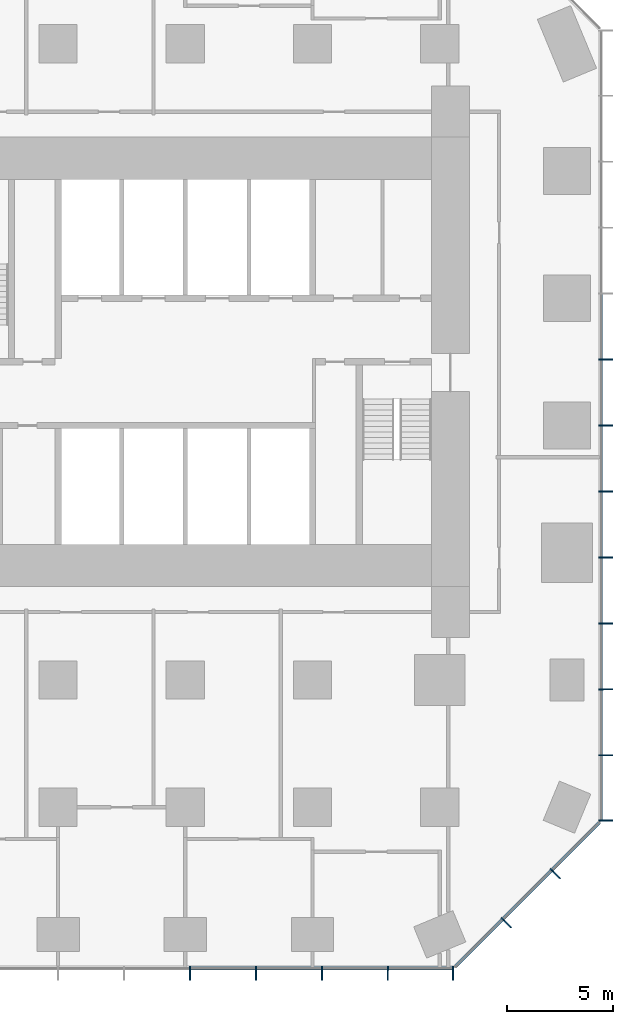
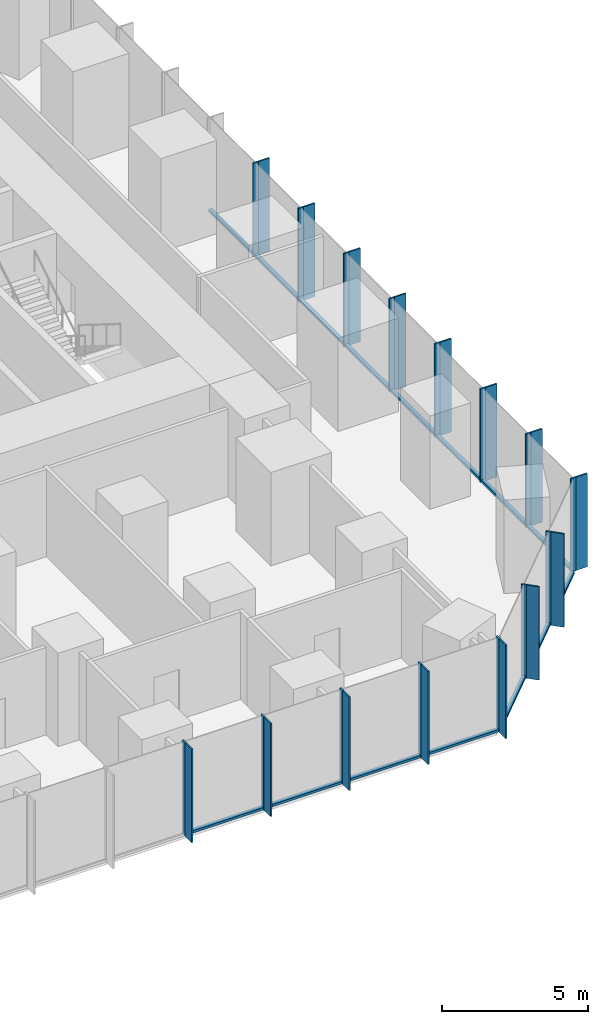
# One storey, part 4 of 12: 45 members, 3 elements without a shape of their own.
"""IFC4 building model written with IfcOpenShell, lengths in metres."""

from ifc_helpers import new_model, si_unit, direction, frame, origin, origin_2d, place, context, subcontext, project, spatial, rectangle, extrude, material, layer, layer_set, material_profile, profile_set, type_object, element, aggregate, save


model = new_model("IFC4")

# Units and contexts
model_context = context("Model", 3, precision=1e-05, world=origin(), true_north=direction((0.0, 1.0)))
body_context = subcontext(model_context, "Body", "Model", "MODEL_VIEW")
ifc_project = project(units=[si_unit("LENGTHUNIT", "METRE"), si_unit("AREAUNIT", "SQUARE_METRE"), si_unit("VOLUMEUNIT", "CUBIC_METRE"), si_unit("PLANEANGLEUNIT", "RADIAN"), si_unit("MASSUNIT", "GRAM", prefix="KILO")], contexts=[model_context])

# Site, building, storey
site_placement = place(None, origin())
site = spatial("IfcSite", under=ifc_project, at=site_placement, CompositionType="ELEMENT")
building_placement = place(site_placement, origin())
building = spatial("IfcBuilding", under=site, at=building_placement, Name="Highveld Stack Headquarters", CompositionType="ELEMENT")
storey_placement = place(building_placement, frame((0.0, 0.0, 26.0)))
storey = spatial("IfcBuildingStorey", under=building, at=storey_placement, Name="L05", CompositionType="ELEMENT", Elevation=26.0)

# Curtain wall, members
ifc_material_1 = material(Name="Aluminium bronze anodised", Category="aluminium")
ifc_layer_1 = layer(ifc_material_1, 0.199951171875)
ifc_layer_set_1 = layer_set([ifc_layer_1], Name="Aluminium bronze anodised")
curtain_wall_type_1 = type_object("IfcCurtainWallType", Name="CW1 TOWER UNITISED CURTAIN WALL", PredefinedType="NOTDEFINED", material=ifc_layer_set_1)
curtain_wall_1_placement = place(storey_placement, origin())
curtain_wall_1 = element("IfcCurtainWall", 1, at=curtain_wall_1_placement, inside=storey, type_object=curtain_wall_type_1, Name="Curtain wall CW1 L05 S", PredefinedType="NOTDEFINED")
ifc_material_2 = material(Name="Aluminium bronze anodised", Category="aluminium")
ifc_material_profile_1 = material_profile(ifc_material_2, rectangle(XDim=0.449951171875, YDim=0.06005859375, at=origin_2d()), Name="FIN 450x60")
ifc_profile_set_1 = profile_set([ifc_material_profile_1], Name="Aluminium bronze anodised")
member_type_1 = type_object("IfcMemberType", Name="CW1 BRONZE FIN 450x60", PredefinedType="USERDEFINED", material=ifc_profile_set_1)
member_1_placement = place(storey_placement, frame((6.220947265625, -25.925048828125, 0.0), z_axis=(0.0, 0.0, 1.0), x_axis=(0.0, 1.0, 0.0)))
member_1 = element("IfcMember", 2, at=member_1_placement, type_object=member_type_1, Name="CW1 fin L05 9", ObjectType="FIN", PredefinedType="USERDEFINED", context=body_context, shape_type="SweptSolid", body=[
    extrude(rectangle(XDim=0.449951171875, YDim=0.06005859375, at=origin_2d()), origin(), (0.0, 0.0, 1.0), 3.89990234375),
])
member_2_placement = place(storey_placement, frame((9.331298828125, -25.925048828125, 0.0), z_axis=(0.0, 0.0, 1.0), x_axis=(0.0, 1.0, 0.0)))
member_2 = element("IfcMember", 3, at=member_2_placement, type_object=member_type_1, Name="CW1 fin L05 10", ObjectType="FIN", PredefinedType="USERDEFINED", context=body_context, shape_type="SweptSolid", body=[
    extrude(rectangle(XDim=0.449951171875, YDim=0.06005859375, at=origin_2d()), origin(), (0.0, 0.0, 1.0), 3.89990234375),
])
member_3_placement = place(storey_placement, frame((12.44189453125, -25.925048828125, 0.0), z_axis=(0.0, 0.0, 1.0), x_axis=(0.0, 1.0, 0.0)))
member_3 = element("IfcMember", 4, at=member_3_placement, type_object=member_type_1, Name="CW1 fin L05 11", ObjectType="FIN", PredefinedType="USERDEFINED", context=body_context, shape_type="SweptSolid", body=[
    extrude(rectangle(XDim=0.449951171875, YDim=0.06005859375, at=origin_2d()), origin(), (0.0, 0.0, 1.0), 3.89990234375),
])
member_4_placement = place(storey_placement, frame((15.55224609375, -25.925048828125, 0.0), z_axis=(0.0, 0.0, 1.0), x_axis=(0.0, 1.0, 0.0)))
member_4 = element("IfcMember", 5, at=member_4_placement, type_object=member_type_1, Name="CW1 fin L05 12", ObjectType="FIN", PredefinedType="USERDEFINED", context=body_context, shape_type="SweptSolid", body=[
    extrude(rectangle(XDim=0.449951171875, YDim=0.06005859375, at=origin_2d()), origin(), (0.0, 0.0, 1.0), 3.89990234375),
])
member_5_placement = place(storey_placement, frame((18.630126953125, -25.925048828125, 0.0), z_axis=(0.0, 0.0, 1.0), x_axis=(0.0, 1.0, 0.0)))
member_5 = element("IfcMember", 6, at=member_5_placement, type_object=member_type_1, Name="CW1 fin L05 13", ObjectType="FIN", PredefinedType="USERDEFINED", context=body_context, shape_type="SweptSolid", body=[
    extrude(rectangle(XDim=0.449951171875, YDim=0.06005859375, at=origin_2d()), origin(), (0.0, 0.0, 1.0), 3.89990234375),
])

curtain_wall_2_placement = place(storey_placement, origin())
curtain_wall_2 = element("IfcCurtainWall", 7, at=curtain_wall_2_placement, inside=storey, type_object=curtain_wall_type_1, Name="Curtain wall CW1 L05 E", PredefinedType="NOTDEFINED")
member_6_placement = place(storey_placement, frame((25.925048828125, -18.630126953125, 0.0), z_axis=(0.0, 0.0, 1.0), x_axis=(-1.0, 0.0, 0.0)))
member_6 = element("IfcMember", 8, at=member_6_placement, type_object=member_type_1, Name="CW1 fin L05 1", ObjectType="FIN", PredefinedType="USERDEFINED", context=body_context, shape_type="SweptSolid", body=[
    extrude(rectangle(XDim=0.449951171875, YDim=0.06005859375, at=origin_2d()), origin(), (0.0, 0.0, 1.0), 3.89990234375),
])
member_7_placement = place(storey_placement, frame((25.925048828125, -15.55224609375, 0.0), z_axis=(0.0, 0.0, 1.0), x_axis=(-1.0, 0.0, 0.0)))
member_7 = element("IfcMember", 9, at=member_7_placement, type_object=member_type_1, Name="CW1 fin L05 2", ObjectType="FIN", PredefinedType="USERDEFINED", context=body_context, shape_type="SweptSolid", body=[
    extrude(rectangle(XDim=0.449951171875, YDim=0.06005859375, at=origin_2d()), origin(), (0.0, 0.0, 1.0), 3.89990234375),
])
member_8_placement = place(storey_placement, frame((25.925048828125, -12.44189453125, 0.0), z_axis=(0.0, 0.0, 1.0), x_axis=(-1.0, 0.0, 0.0)))
member_8 = element("IfcMember", 10, at=member_8_placement, type_object=member_type_1, Name="CW1 fin L05 3", ObjectType="FIN", PredefinedType="USERDEFINED", context=body_context, shape_type="SweptSolid", body=[
    extrude(rectangle(XDim=0.449951171875, YDim=0.06005859375, at=origin_2d()), origin(), (0.0, 0.0, 1.0), 3.89990234375),
])
member_9_placement = place(storey_placement, frame((25.925048828125, -9.331298828125, 0.0), z_axis=(0.0, 0.0, 1.0), x_axis=(-1.0, 0.0, 0.0)))
member_9 = element("IfcMember", 11, at=member_9_placement, type_object=member_type_1, Name="CW1 fin L05 4", ObjectType="FIN", PredefinedType="USERDEFINED", context=body_context, shape_type="SweptSolid", body=[
    extrude(rectangle(XDim=0.449951171875, YDim=0.06005859375, at=origin_2d()), origin(), (0.0, 0.0, 1.0), 3.89990234375),
])
member_10_placement = place(storey_placement, frame((25.925048828125, -6.220947265625, 0.0), z_axis=(0.0, 0.0, 1.0), x_axis=(-1.0, 0.0, 0.0)))
member_10 = element("IfcMember", 12, at=member_10_placement, type_object=member_type_1, Name="CW1 fin L05 5", ObjectType="FIN", PredefinedType="USERDEFINED", context=body_context, shape_type="SweptSolid", body=[
    extrude(rectangle(XDim=0.449951171875, YDim=0.06005859375, at=origin_2d()), origin(), (0.0, 0.0, 1.0), 3.89990234375),
])
member_11_placement = place(storey_placement, frame((25.925048828125, -3.110595703125, 0.0), z_axis=(0.0, 0.0, 1.0), x_axis=(-1.0, 0.0, 0.0)))
member_11 = element("IfcMember", 13, at=member_11_placement, type_object=member_type_1, Name="CW1 fin L05 6", ObjectType="FIN", PredefinedType="USERDEFINED", context=body_context, shape_type="SweptSolid", body=[
    extrude(rectangle(XDim=0.449951171875, YDim=0.06005859375, at=origin_2d()), origin(), (0.0, 0.0, 1.0), 3.89990234375),
])
member_12_placement = place(storey_placement, frame((25.925048828125, 0.0, 0.0), z_axis=(0.0, 0.0, 1.0), x_axis=(-1.0, 0.0, 0.0)))
member_12 = element("IfcMember", 14, at=member_12_placement, type_object=member_type_1, Name="CW1 fin L05 7", ObjectType="FIN", PredefinedType="USERDEFINED", context=body_context, shape_type="SweptSolid", body=[
    extrude(rectangle(XDim=0.449951171875, YDim=0.06005859375, at=origin_2d()), origin(), (0.0, 0.0, 1.0), 3.89990234375),
])
member_13_placement = place(storey_placement, frame((25.925048828125, 3.110595703125, 0.0), z_axis=(0.0, 0.0, 1.0), x_axis=(-1.0, 0.0, 0.0)))
member_13 = element("IfcMember", 15, at=member_13_placement, type_object=member_type_1, Name="CW1 fin L05 8", ObjectType="FIN", PredefinedType="USERDEFINED", context=body_context, shape_type="SweptSolid", body=[
    extrude(rectangle(XDim=0.449951171875, YDim=0.06005859375, at=origin_2d()), origin(), (0.0, 0.0, 1.0), 3.89990234375),
])

# Member
ifc_material_3 = material(Name="Aluminium bronze anodised", Category="aluminium")
ifc_material_profile_2 = material_profile(ifc_material_3, rectangle(XDim=0.199951171875, YDim=0.06494140625, at=origin_2d()), Name="CW1 MULLION 65x200")
ifc_profile_set_2 = profile_set([ifc_material_profile_2], Name="Aluminium bronze anodised")
member_type_2 = type_object("IfcMemberType", Name="CW1 MULLION 65x200", PredefinedType="MULLION", material=ifc_profile_set_2)
member_14_placement = place(storey_placement, frame((6.220947265625, -25.60009765625, 0.0), z_axis=(0.0, 0.0, 1.0), x_axis=(0.0, 1.0, 0.0)))
member_14 = element("IfcMember", 16, at=member_14_placement, type_object=member_type_2, Name="CW1 mullion L05 9", PredefinedType="MULLION", context=body_context, shape_type="SweptSolid", body=[
    extrude(rectangle(XDim=0.199951171875, YDim=0.06494140625, at=origin_2d()), origin(), (0.0, 0.0, 1.0), 3.89990234375),
])

member_15_placement = place(storey_placement, frame((9.331298828125, -25.60009765625, 0.0), z_axis=(0.0, 0.0, 1.0), x_axis=(0.0, 1.0, 0.0)))
member_15 = element("IfcMember", 17, at=member_15_placement, type_object=member_type_2, Name="CW1 mullion L05 10", PredefinedType="MULLION", context=body_context, shape_type="SweptSolid", body=[
    extrude(rectangle(XDim=0.199951171875, YDim=0.06494140625, at=origin_2d()), origin(), (0.0, 0.0, 1.0), 3.89990234375),
])

member_16_placement = place(storey_placement, frame((12.44189453125, -25.60009765625, 0.0), z_axis=(0.0, 0.0, 1.0), x_axis=(0.0, 1.0, 0.0)))
member_16 = element("IfcMember", 18, at=member_16_placement, type_object=member_type_2, Name="CW1 mullion L05 11", PredefinedType="MULLION", context=body_context, shape_type="SweptSolid", body=[
    extrude(rectangle(XDim=0.199951171875, YDim=0.06494140625, at=origin_2d()), origin(), (0.0, 0.0, 1.0), 3.89990234375),
])

member_17_placement = place(storey_placement, frame((15.55224609375, -25.60009765625, 0.0), z_axis=(0.0, 0.0, 1.0), x_axis=(0.0, 1.0, 0.0)))
member_17 = element("IfcMember", 19, at=member_17_placement, type_object=member_type_2, Name="CW1 mullion L05 12", PredefinedType="MULLION", context=body_context, shape_type="SweptSolid", body=[
    extrude(rectangle(XDim=0.199951171875, YDim=0.06494140625, at=origin_2d()), origin(), (0.0, 0.0, 1.0), 3.89990234375),
])

member_18_placement = place(storey_placement, frame((18.630126953125, -25.60009765625, 0.0), z_axis=(0.0, 0.0, 1.0), x_axis=(0.0, 1.0, 0.0)))
member_18 = element("IfcMember", 20, at=member_18_placement, type_object=member_type_2, Name="CW1 mullion L05 13", PredefinedType="MULLION", context=body_context, shape_type="SweptSolid", body=[
    extrude(rectangle(XDim=0.199951171875, YDim=0.06494140625, at=origin_2d()), origin(), (0.0, 0.0, 1.0), 3.89990234375),
])

member_19_placement = place(storey_placement, frame((25.60009765625, -18.630126953125, 0.0), z_axis=(0.0, 0.0, 1.0), x_axis=(-1.0, 0.0, 0.0)))
member_19 = element("IfcMember", 21, at=member_19_placement, type_object=member_type_2, Name="CW1 mullion L05 1", PredefinedType="MULLION", context=body_context, shape_type="SweptSolid", body=[
    extrude(rectangle(XDim=0.199951171875, YDim=0.06494140625, at=origin_2d()), origin(), (0.0, 0.0, 1.0), 3.89990234375),
])

member_20_placement = place(storey_placement, frame((25.60009765625, -15.55224609375, 0.0), z_axis=(0.0, 0.0, 1.0), x_axis=(-1.0, 0.0, 0.0)))
member_20 = element("IfcMember", 22, at=member_20_placement, type_object=member_type_2, Name="CW1 mullion L05 2", PredefinedType="MULLION", context=body_context, shape_type="SweptSolid", body=[
    extrude(rectangle(XDim=0.199951171875, YDim=0.06494140625, at=origin_2d()), origin(), (0.0, 0.0, 1.0), 3.89990234375),
])

member_21_placement = place(storey_placement, frame((25.60009765625, -12.44189453125, 0.0), z_axis=(0.0, 0.0, 1.0), x_axis=(-1.0, 0.0, 0.0)))
member_21 = element("IfcMember", 23, at=member_21_placement, type_object=member_type_2, Name="CW1 mullion L05 3", PredefinedType="MULLION", context=body_context, shape_type="SweptSolid", body=[
    extrude(rectangle(XDim=0.199951171875, YDim=0.06494140625, at=origin_2d()), origin(), (0.0, 0.0, 1.0), 3.89990234375),
])

member_22_placement = place(storey_placement, frame((25.60009765625, -9.331298828125, 0.0), z_axis=(0.0, 0.0, 1.0), x_axis=(-1.0, 0.0, 0.0)))
member_22 = element("IfcMember", 24, at=member_22_placement, type_object=member_type_2, Name="CW1 mullion L05 4", PredefinedType="MULLION", context=body_context, shape_type="SweptSolid", body=[
    extrude(rectangle(XDim=0.199951171875, YDim=0.06494140625, at=origin_2d()), origin(), (0.0, 0.0, 1.0), 3.89990234375),
])

member_23_placement = place(storey_placement, frame((25.60009765625, -6.220947265625, 0.0), z_axis=(0.0, 0.0, 1.0), x_axis=(-1.0, 0.0, 0.0)))
member_23 = element("IfcMember", 25, at=member_23_placement, type_object=member_type_2, Name="CW1 mullion L05 5", PredefinedType="MULLION", context=body_context, shape_type="SweptSolid", body=[
    extrude(rectangle(XDim=0.199951171875, YDim=0.06494140625, at=origin_2d()), origin(), (0.0, 0.0, 1.0), 3.89990234375),
])

member_24_placement = place(storey_placement, frame((25.60009765625, -3.110595703125, 0.0), z_axis=(0.0, 0.0, 1.0), x_axis=(-1.0, 0.0, 0.0)))
member_24 = element("IfcMember", 26, at=member_24_placement, type_object=member_type_2, Name="CW1 mullion L05 6", PredefinedType="MULLION", context=body_context, shape_type="SweptSolid", body=[
    extrude(rectangle(XDim=0.199951171875, YDim=0.06494140625, at=origin_2d()), origin(), (0.0, 0.0, 1.0), 3.89990234375),
])

member_25_placement = place(storey_placement, frame((25.60009765625, 0.0, 0.0), z_axis=(0.0, 0.0, 1.0), x_axis=(-1.0, 0.0, 0.0)))
member_25 = element("IfcMember", 27, at=member_25_placement, type_object=member_type_2, Name="CW1 mullion L05 7", PredefinedType="MULLION", context=body_context, shape_type="SweptSolid", body=[
    extrude(rectangle(XDim=0.199951171875, YDim=0.06494140625, at=origin_2d()), origin(), (0.0, 0.0, 1.0), 3.89990234375),
])

member_26_placement = place(storey_placement, frame((25.60009765625, 3.110595703125, 0.0), z_axis=(0.0, 0.0, 1.0), x_axis=(-1.0, 0.0, 0.0)))
member_26 = element("IfcMember", 28, at=member_26_placement, type_object=member_type_2, Name="CW1 mullion L05 8", PredefinedType="MULLION", context=body_context, shape_type="SweptSolid", body=[
    extrude(rectangle(XDim=0.199951171875, YDim=0.06494140625, at=origin_2d()), origin(), (0.0, 0.0, 1.0), 3.89990234375),
])

ifc_material_4 = material(Name="Aluminium bronze anodised", Category="aluminium")
ifc_material_profile_3 = material_profile(ifc_material_4, rectangle(XDim=0.14990234375, YDim=0.10009765625, at=origin_2d()), Name="CW1 TRANSOM 150x100")
ifc_profile_set_3 = profile_set([ifc_material_profile_3], Name="Aluminium bronze anodised")
member_type_3 = type_object("IfcMemberType", Name="CW1 STACK TRANSOM 150x100", PredefinedType="USERDEFINED", material=ifc_profile_set_3)
member_27_placement = place(storey_placement, frame((6.25341796875, -25.60009765625, 0.050048828125), z_axis=(1.0, 0.0, 0.0), x_axis=(0.0, 1.0, 0.0)))
member_27 = element("IfcMember", 29, at=member_27_placement, type_object=member_type_3, Name="CW1 transom L05 9.1", ObjectType="TRANSOM", PredefinedType="USERDEFINED", context=body_context, shape_type="SweptSolid", body=[
    extrude(rectangle(XDim=0.14990234375, YDim=0.10009765625, at=origin_2d()), origin(), (0.0, 0.0, 1.0), 3.04541015625),
])

member_28_placement = place(storey_placement, frame((9.36376953125, -25.60009765625, 0.050048828125), z_axis=(1.0, 0.0, 0.0), x_axis=(0.0, 1.0, 0.0)))
member_28 = element("IfcMember", 30, at=member_28_placement, type_object=member_type_3, Name="CW1 transom L05 10.1", ObjectType="TRANSOM", PredefinedType="USERDEFINED", context=body_context, shape_type="SweptSolid", body=[
    extrude(rectangle(XDim=0.14990234375, YDim=0.10009765625, at=origin_2d()), origin(), (0.0, 0.0, 1.0), 3.04541015625),
])

member_29_placement = place(storey_placement, frame((12.474365234375, -25.60009765625, 0.050048828125), z_axis=(1.0, 0.0, 0.0), x_axis=(0.0, 1.0, 0.0)))
member_29 = element("IfcMember", 31, at=member_29_placement, type_object=member_type_3, Name="CW1 transom L05 11.1", ObjectType="TRANSOM", PredefinedType="USERDEFINED", context=body_context, shape_type="SweptSolid", body=[
    extrude(rectangle(XDim=0.14990234375, YDim=0.10009765625, at=origin_2d()), origin(), (0.0, 0.0, 1.0), 3.04541015625),
])

member_30_placement = place(storey_placement, frame((15.584716796875, -25.60009765625, 0.050048828125), z_axis=(1.0, 0.0, 0.0), x_axis=(0.0, 1.0, 0.0)))
member_30 = element("IfcMember", 32, at=member_30_placement, type_object=member_type_3, Name="CW1 transom L05 12.1", ObjectType="TRANSOM", PredefinedType="USERDEFINED", context=body_context, shape_type="SweptSolid", body=[
    extrude(rectangle(XDim=0.14990234375, YDim=0.10009765625, at=origin_2d()), origin(), (0.0, 0.0, 1.0), 3.012939453125),
])

aggregate(curtain_wall_1, [member_14, member_1, member_15, member_2, member_16, member_3, member_17, member_4, member_18, member_5, member_27, member_28, member_29, member_30])

member_31_placement = place(storey_placement, frame((25.60009765625, -18.59765625, 0.050048828125), z_axis=(0.0, 1.0, 0.0), x_axis=(-1.0, 0.0, 0.0)))
member_31 = element("IfcMember", 33, at=member_31_placement, type_object=member_type_3, Name="CW1 transom L05 1.1", ObjectType="TRANSOM", PredefinedType="USERDEFINED", context=body_context, shape_type="SweptSolid", body=[
    extrude(rectangle(XDim=0.14990234375, YDim=0.10009765625, at=origin_2d()), origin(), (0.0, 0.0, 1.0), 3.012939453125),
])

member_32_placement = place(storey_placement, frame((25.60009765625, -15.519775390625, 0.050048828125), z_axis=(0.0, 1.0, 0.0), x_axis=(-1.0, 0.0, 0.0)))
member_32 = element("IfcMember", 34, at=member_32_placement, type_object=member_type_3, Name="CW1 transom L05 2.1", ObjectType="TRANSOM", PredefinedType="USERDEFINED", context=body_context, shape_type="SweptSolid", body=[
    extrude(rectangle(XDim=0.14990234375, YDim=0.10009765625, at=origin_2d()), origin(), (0.0, 0.0, 1.0), 3.04541015625),
])

member_33_placement = place(storey_placement, frame((25.60009765625, -12.4091796875, 0.050048828125), z_axis=(0.0, 1.0, 0.0), x_axis=(-1.0, 0.0, 0.0)))
member_33 = element("IfcMember", 35, at=member_33_placement, type_object=member_type_3, Name="CW1 transom L05 3.1", ObjectType="TRANSOM", PredefinedType="USERDEFINED", context=body_context, shape_type="SweptSolid", body=[
    extrude(rectangle(XDim=0.14990234375, YDim=0.10009765625, at=origin_2d()), origin(), (0.0, 0.0, 1.0), 3.045166015625),
])

member_34_placement = place(storey_placement, frame((25.60009765625, -9.298828125, 0.050048828125), z_axis=(0.0, 1.0, 0.0), x_axis=(-1.0, 0.0, 0.0)))
member_34 = element("IfcMember", 36, at=member_34_placement, type_object=member_type_3, Name="CW1 transom L05 4.1", ObjectType="TRANSOM", PredefinedType="USERDEFINED", context=body_context, shape_type="SweptSolid", body=[
    extrude(rectangle(XDim=0.14990234375, YDim=0.10009765625, at=origin_2d()), origin(), (0.0, 0.0, 1.0), 3.04541015625),
])

member_35_placement = place(storey_placement, frame((25.60009765625, -6.1884765625, 0.050048828125), z_axis=(0.0, 1.0, 0.0), x_axis=(-1.0, 0.0, 0.0)))
member_35 = element("IfcMember", 37, at=member_35_placement, type_object=member_type_3, Name="CW1 transom L05 5.1", ObjectType="TRANSOM", PredefinedType="USERDEFINED", context=body_context, shape_type="SweptSolid", body=[
    extrude(rectangle(XDim=0.14990234375, YDim=0.10009765625, at=origin_2d()), origin(), (0.0, 0.0, 1.0), 3.04541015625),
])

member_36_placement = place(storey_placement, frame((25.60009765625, -3.077880859375, 0.050048828125), z_axis=(0.0, 1.0, 0.0), x_axis=(-1.0, 0.0, 0.0)))
member_36 = element("IfcMember", 38, at=member_36_placement, type_object=member_type_3, Name="CW1 transom L05 6.1", ObjectType="TRANSOM", PredefinedType="USERDEFINED", context=body_context, shape_type="SweptSolid", body=[
    extrude(rectangle(XDim=0.14990234375, YDim=0.10009765625, at=origin_2d()), origin(), (0.0, 0.0, 1.0), 3.04541015625),
])

member_37_placement = place(storey_placement, frame((25.60009765625, 0.032470703125, 0.050048828125), z_axis=(0.0, 1.0, 0.0), x_axis=(-1.0, 0.0, 0.0)))
member_37 = element("IfcMember", 39, at=member_37_placement, type_object=member_type_3, Name="CW1 transom L05 7.1", ObjectType="TRANSOM", PredefinedType="USERDEFINED", context=body_context, shape_type="SweptSolid", body=[
    extrude(rectangle(XDim=0.14990234375, YDim=0.10009765625, at=origin_2d()), origin(), (0.0, 0.0, 1.0), 3.04541015625),
])

member_38_placement = place(storey_placement, frame((25.60009765625, 3.142822265625, 0.050048828125), z_axis=(0.0, 1.0, 0.0), x_axis=(-1.0, 0.0, 0.0)))
member_38 = element("IfcMember", 40, at=member_38_placement, type_object=member_type_3, Name="CW1 transom L05 8.1", ObjectType="TRANSOM", PredefinedType="USERDEFINED", context=body_context, shape_type="SweptSolid", body=[
    extrude(rectangle(XDim=0.14990234375, YDim=0.10009765625, at=origin_2d()), origin(), (0.0, 0.0, 1.0), 3.045654296875),
])

aggregate(curtain_wall_2, [member_19, member_6, member_20, member_7, member_21, member_8, member_22, member_9, member_23, member_10, member_24, member_11, member_25, member_12, member_26, member_13, member_31, member_32, member_33, member_34, member_35, member_36, member_37, member_38])

# Curtain wall, members
ifc_material_5 = material(Name="Aluminium bronze anodised", Category="aluminium")
ifc_layer_2 = layer(ifc_material_5, 0.199951171875)
ifc_layer_set_2 = layer_set([ifc_layer_2], Name="Aluminium bronze anodised")
curtain_wall_type_2 = type_object("IfcCurtainWallType", Name="CW2 TOWER CHAMFER UNITISED CURTAIN WALL", PredefinedType="NOTDEFINED", material=ifc_layer_set_2)
curtain_wall_3_placement = place(storey_placement, origin())
curtain_wall_3 = element("IfcCurtainWall", 41, at=curtain_wall_3_placement, inside=storey, type_object=curtain_wall_type_2, Name="Curtain wall CW2 L05 SE", PredefinedType="NOTDEFINED")
ifc_material_6 = material(Name="Aluminium bronze anodised", Category="aluminium")
ifc_material_profile_4 = material_profile(ifc_material_6, rectangle(XDim=0.449951171875, YDim=0.06005859375, at=origin_2d()), Name="FIN 450x60")
ifc_profile_set_4 = profile_set([ifc_material_profile_4], Name="Aluminium bronze anodised")
member_type_4 = type_object("IfcMemberType", Name="CW2 BRONZE FIN 450x60", PredefinedType="USERDEFINED", material=ifc_profile_set_4)
member_39_placement = place(storey_placement, frame((21.204833984375, -23.517333984375, 0.0), z_axis=(0.0, 0.0, 1.0), x_axis=(-0.707106781187, 0.707106781187, 0.0)))
member_39 = element("IfcMember", 42, at=member_39_placement, type_object=member_type_4, Name="CW2 fin L05 1", ObjectType="FIN", PredefinedType="USERDEFINED", context=body_context, shape_type="SweptSolid", body=[
    extrude(rectangle(XDim=0.449951171875, YDim=0.06005859375, at=origin_2d()), origin(), (0.0, 0.0, 1.0), 3.89990234375),
])
member_40_placement = place(storey_placement, frame((23.517333984375, -21.204833984375, 0.0), z_axis=(0.0, 0.0, 1.0), x_axis=(-0.707106781187, 0.707106781187, 0.0)))
member_40 = element("IfcMember", 43, at=member_40_placement, type_object=member_type_4, Name="CW2 fin L05 2", ObjectType="FIN", PredefinedType="USERDEFINED", context=body_context, shape_type="SweptSolid", body=[
    extrude(rectangle(XDim=0.449951171875, YDim=0.06005859375, at=origin_2d()), origin(), (0.0, 0.0, 1.0), 3.89990234375),
])
ifc_material_7 = material(Name="Aluminium bronze anodised", Category="aluminium")
ifc_material_profile_5 = material_profile(ifc_material_7, rectangle(XDim=0.199951171875, YDim=0.06494140625, at=origin_2d()), Name="CW2 MULLION 65x200")
ifc_profile_set_5 = profile_set([ifc_material_profile_5], Name="Aluminium bronze anodised")
member_type_5 = type_object("IfcMemberType", Name="CW2 MULLION 65x200", PredefinedType="MULLION", material=ifc_profile_set_5)
member_41_placement = place(storey_placement, frame((20.97509765625, -23.28759765625, 0.0), z_axis=(0.0, 0.0, 1.0), x_axis=(-0.707106781187, 0.707106781187, 0.0)))
member_41 = element("IfcMember", 44, at=member_41_placement, type_object=member_type_5, Name="CW2 mullion L05 1", PredefinedType="MULLION", context=body_context, shape_type="SweptSolid", body=[
    extrude(rectangle(XDim=0.199951171875, YDim=0.06494140625, at=origin_2d()), origin(), (0.0, 0.0, 1.0), 3.89990234375),
])
member_42_placement = place(storey_placement, frame((23.28759765625, -20.97509765625, 0.0), z_axis=(0.0, 0.0, 1.0), x_axis=(-0.707106781187, 0.707106781187, 0.0)))
member_42 = element("IfcMember", 45, at=member_42_placement, type_object=member_type_5, Name="CW2 mullion L05 2", PredefinedType="MULLION", context=body_context, shape_type="SweptSolid", body=[
    extrude(rectangle(XDim=0.199951171875, YDim=0.06494140625, at=origin_2d()), origin(), (0.0, 0.0, 1.0), 3.89990234375),
])
ifc_material_8 = material(Name="Aluminium bronze anodised", Category="aluminium")
ifc_material_profile_6 = material_profile(ifc_material_8, rectangle(XDim=0.14990234375, YDim=0.10009765625, at=origin_2d()), Name="CW2 TRANSOM 150x100")
ifc_profile_set_6 = profile_set([ifc_material_profile_6], Name="Aluminium bronze anodised")
member_type_6 = type_object("IfcMemberType", Name="CW2 STACK TRANSOM 150x100", PredefinedType="USERDEFINED", material=ifc_profile_set_6)
member_43_placement = place(storey_placement, frame((18.7333984375, -25.529296875, 0.050048828125), z_axis=(0.707106781187, 0.707106781187, 0.0), x_axis=(-0.707106781187, 0.707106781187, 0.0)))
member_43 = element("IfcMember", 46, at=member_43_placement, type_object=member_type_6, Name="CW2 transom L05 1.1", ObjectType="TRANSOM", PredefinedType="USERDEFINED", context=body_context, shape_type="SweptSolid", body=[
    extrude(rectangle(XDim=0.14990234375, YDim=0.10009765625, at=origin_2d()), origin(), (0.0, 0.0, 1.0), 3.1376953125),
])
member_44_placement = place(storey_placement, frame((20.998046875, -23.2646484375, 0.050048828125), z_axis=(0.707106781187, 0.707106781187, 0.0), x_axis=(-0.707106781187, 0.707106781187, 0.0)))
member_44 = element("IfcMember", 47, at=member_44_placement, type_object=member_type_6, Name="CW2 transom L05 2.1", ObjectType="TRANSOM", PredefinedType="USERDEFINED", context=body_context, shape_type="SweptSolid", body=[
    extrude(rectangle(XDim=0.14990234375, YDim=0.10009765625, at=origin_2d()), origin(), (0.0, 0.0, 1.0), 3.20556640625),
])
member_45_placement = place(storey_placement, frame((23.310546875, -20.9521484375, 0.050048828125), z_axis=(0.707106781187, 0.707106781187, 0.0), x_axis=(-0.707106781187, 0.707106781187, 0.0)))
member_45 = element("IfcMember", 48, at=member_45_placement, type_object=member_type_6, Name="CW2 transom L05 3.1", ObjectType="TRANSOM", PredefinedType="USERDEFINED", context=body_context, shape_type="SweptSolid", body=[
    extrude(rectangle(XDim=0.14990234375, YDim=0.10009765625, at=origin_2d()), origin(), (0.0, 0.0, 1.0), 3.1376953125),
])
aggregate(curtain_wall_3, [member_41, member_39, member_42, member_40, member_43, member_44, member_45])

save(model, "model.ifc")
